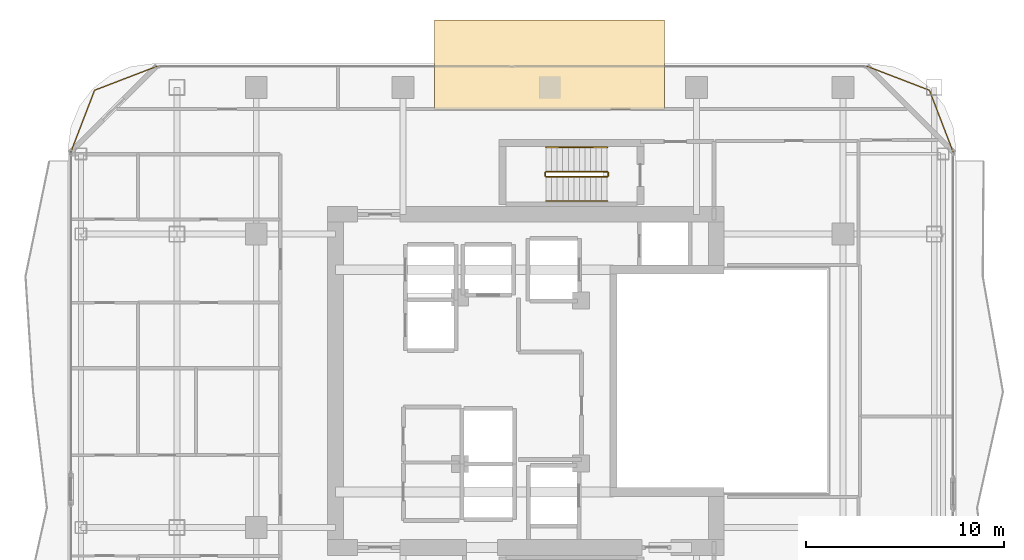
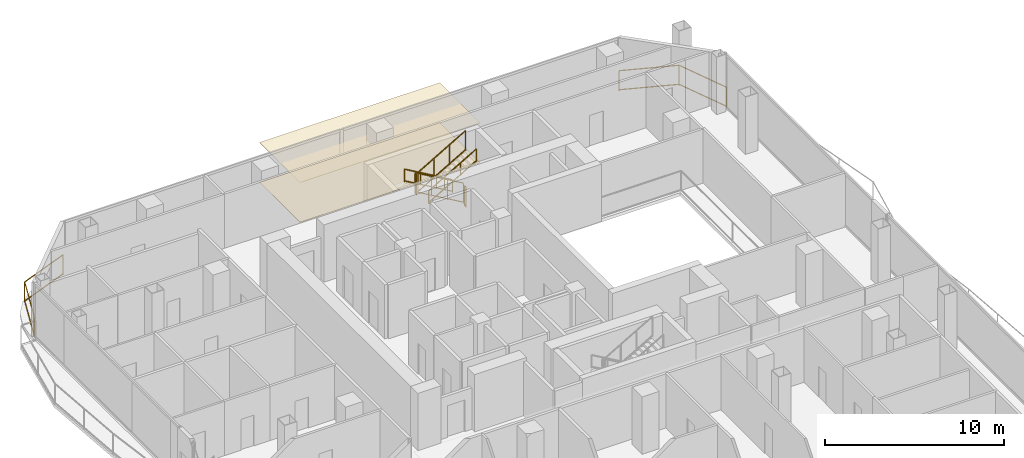
# One storey, part 23 of 23: 8 railings, 2 coverings.
"""IFC4 building model written with IfcOpenShell, lengths in metres."""

from ifc_helpers import new_model, si_unit, direction, frame, origin, origin_2d, place, context, subcontext, project, spatial, polyline, rectangle, outline, extrude, material, layer, layer_set, type_object, element, save


model = new_model("IFC4")

# Units and contexts
model_context = context("Model", 3, precision=1e-05, world=origin(), true_north=direction((0.0, 1.0)))
body_context = subcontext(model_context, "Body", "Model", "MODEL_VIEW")
ifc_project = project(units=[si_unit("LENGTHUNIT", "METRE"), si_unit("AREAUNIT", "SQUARE_METRE"), si_unit("VOLUMEUNIT", "CUBIC_METRE"), si_unit("PLANEANGLEUNIT", "RADIAN"), si_unit("MASSUNIT", "GRAM", prefix="KILO")], contexts=[model_context])

# Site, building, storey
site_placement = place(None, origin())
site = spatial("IfcSite", under=ifc_project, at=site_placement, CompositionType="ELEMENT")
building_placement = place(site_placement, origin())
building = spatial("IfcBuilding", under=site, at=building_placement, Name="Khorvyn Point Tower", CompositionType="ELEMENT")
storey_placement = place(building_placement, frame((0.0, 0.0, 195.300048828125)))
storey = spatial("IfcBuildingStorey", under=building, at=storey_placement, Name="L48", CompositionType="ELEMENT", Elevation=195.300048828125)

# Covering
ifc_material_1 = material(Name="Engineered tropical hardwood flooring", Category="wood")
ifc_layer_1 = layer(ifc_material_1, 0.01611328125)
ifc_layer_set_1 = layer_set([ifc_layer_1], Name="Engineered Teak Apartment Floor Finish 16")
covering_type_1 = type_object("IfcCoveringType", Name="Engineered Teak Apartment Floor Finish 16", PredefinedType="FLOORING", material=ifc_layer_set_1)
covering_1_placement = place(storey_placement, origin())
element("IfcCovering", 1, at=covering_1_placement, inside=storey, type_object=covering_type_1, Name="L48 North Apartment Teak Flooring", PredefinedType="FLOORING", context=body_context, shape_type="SweptSolid", body=[
    extrude(outline(polyline([(-5.800048828125, 13.68994140625), (5.800048828125, 13.68994140625), (5.800048828125, 18.199951171875), (-5.800048828125, 18.199951171875), (-5.800048828125, 13.68994140625)])), origin(), (0.0, 0.0, 1.0), 0.015869140625),
])

# Railings
ifc_material_2 = material(Name="Anodised aluminium 6063-T6 and laminated safety glass", Category="aluminium")
railing_type_1 = type_object("IfcRailingType", Name="Laminated Glass and Aluminium Balcony Guardrail 1400", PredefinedType="BALUSTRADE", material=ifc_material_2)
railing_1_placement = place(storey_placement, frame((-19.78125, 15.874267578125, 0.0)))
element("IfcRailing", 2, at=railing_1_placement, inside=storey, type_object=railing_type_1, Name="L48 Rounded Corner Edge Guardrail NW", PredefinedType="BALUSTRADE", context=body_context, shape_type="SweptSolid", body=[
    extrude(rectangle(XDim=0.048095703125, YDim=0.048095703125, at=origin_2d()), frame((0.0, 0.0, 1.3759765625), z_axis=(-0.933589651443, -0.358343916815, 0.0), x_axis=(0.358343916815, -0.933589651443, 0.0)), (0.0, 0.0, 1.0), 3.400390625),
    extrude(rectangle(XDim=0.048095703125, YDim=0.048095703125, at=origin_2d()), frame((0.0, 0.0, 0.080078125), z_axis=(-0.933589651443, -0.358343916815, 0.0), x_axis=(0.358343916815, -0.933589651443, 0.0)), (0.0, 0.0, 1.0), 3.400390625),
    extrude(rectangle(XDim=0.048095703125, YDim=0.048095703125, at=origin_2d()), frame((-3.174560546875, -1.218505859375, 1.3759765625), z_axis=(-0.358343916815, -0.933589651443, 0.0), x_axis=(0.933589651443, -0.358343916815, 0.0)), (0.0, 0.0, 1.0), 3.400390625),
    extrude(rectangle(XDim=0.048095703125, YDim=0.048095703125, at=origin_2d()), frame((-3.174560546875, -1.218505859375, 0.080078125), z_axis=(-0.358343916815, -0.933589651443, 0.0), x_axis=(0.933589651443, -0.358343916815, 0.0)), (0.0, 0.0, 1.0), 3.400390625),
    extrude(rectangle(XDim=0.0419921875, YDim=0.0419921875, at=origin_2d()), origin(), (0.0, 0.0, 1.0), 1.351806640625),
    extrude(rectangle(XDim=0.0419921875, YDim=0.0419921875, at=origin_2d()), frame((-3.174560546875, -1.218505859375, 0.0)), (0.0, 0.0, 1.0), 1.351806640625),
    extrude(rectangle(XDim=0.0419921875, YDim=0.0419921875, at=origin_2d()), frame((-4.39306640625, -4.39306640625, 0.0)), (0.0, 0.0, 1.0), 1.351806640625),
])
railing_2_placement = place(storey_placement, frame((20.374267578125, 11.481201171875, 0.0)))
element("IfcRailing", 3, at=railing_2_placement, inside=storey, type_object=railing_type_1, Name="L48 Rounded Corner Edge Guardrail NE", PredefinedType="BALUSTRADE", context=body_context, shape_type="SweptSolid", body=[
    extrude(rectangle(XDim=0.048095703125, YDim=0.048095703125, at=origin_2d()), frame((0.0, 0.0, 1.3759765625), z_axis=(-0.358343916815, 0.933589651443, 0.0), x_axis=(-0.933589651443, -0.358343916815, 0.0)), (0.0, 0.0, 1.0), 3.400390625),
    extrude(rectangle(XDim=0.048095703125, YDim=0.048095703125, at=origin_2d()), frame((0.0, 0.0, 0.080078125), z_axis=(-0.358343916815, 0.933589651443, 0.0), x_axis=(-0.933589651443, -0.358343916815, 0.0)), (0.0, 0.0, 1.0), 3.400390625),
    extrude(rectangle(XDim=0.048095703125, YDim=0.048095703125, at=origin_2d()), frame((-1.218505859375, 3.174560546875, 1.3759765625), z_axis=(-0.933589651443, 0.358343916815, 0.0), x_axis=(-0.358343916815, -0.933589651443, 0.0)), (0.0, 0.0, 1.0), 3.400390625),
    extrude(rectangle(XDim=0.048095703125, YDim=0.048095703125, at=origin_2d()), frame((-1.218505859375, 3.174560546875, 0.080078125), z_axis=(-0.933589651443, 0.358343916815, 0.0), x_axis=(-0.358343916815, -0.933589651443, 0.0)), (0.0, 0.0, 1.0), 3.400390625),
    extrude(rectangle(XDim=0.0419921875, YDim=0.0419921875, at=origin_2d()), origin(), (0.0, 0.0, 1.0), 1.351806640625),
    extrude(rectangle(XDim=0.0419921875, YDim=0.0419921875, at=origin_2d()), frame((-1.218505859375, 3.174560546875, 0.0)), (0.0, 0.0, 1.0), 1.351806640625),
    extrude(rectangle(XDim=0.0419921875, YDim=0.0419921875, at=origin_2d()), frame((-4.39306640625, 4.39306640625, 0.0)), (0.0, 0.0, 1.0), 1.351806640625),
])

# Covering
ifc_material_3 = material(Name="Mineral-fibre acoustic ceiling board", Category="gypsum")
ifc_layer_2 = layer(ifc_material_3, 0.02001953125)
ifc_layer_set_2 = layer_set([ifc_layer_2], Name="Perforated Mineral-Fibre Acoustic Suspended Ceiling 20")
covering_type_2 = type_object("IfcCoveringType", Name="Perforated Mineral-Fibre Acoustic Suspended Ceiling 20", PredefinedType="CEILING", material=ifc_layer_set_2)
covering_2_placement = place(storey_placement, frame((0.0, 0.0, 2.699951171875)))
element("IfcCovering", 4, at=covering_2_placement, inside=storey, type_object=covering_type_2, Name="L48 North Apartment Acoustic Ceiling", PredefinedType="CEILING", context=body_context, shape_type="SweptSolid", body=[
    extrude(outline(polyline([(-5.800048828125, 13.68994140625), (5.800048828125, 13.68994140625), (5.800048828125, 18.199951171875), (-5.800048828125, 18.199951171875), (-5.800048828125, 13.68994140625)])), origin(), (0.0, 0.0, 1.0), 0.02001953125),
])

# Railings
ifc_material_4 = material(Name="Stainless steel 1.4301", Category="steel")
railing_type_2 = type_object("IfcRailingType", Name="Stainless Steel 304 Stair Pitch Handrail 900", PredefinedType="HANDRAIL", material=ifc_material_4)
railing_3_placement = place(storey_placement, frame((2.89990234375, 11.77001953125, 0.162353515625)))
element("IfcRailing", 5, at=railing_3_placement, inside=storey, type_object=railing_type_2, Name="L48 ST-02 stair handrail 1", PredefinedType="HANDRAIL", context=body_context, shape_type="SweptSolid", body=[
    extrude(rectangle(XDim=0.048095703125, YDim=0.048095703125, at=origin_2d()), frame((0.0, 0.0, 0.8759765625), z_axis=(-0.864873446163, 0.0, 0.501989962173), x_axis=(0.0, -1.0, 0.0)), (0.0, 0.0, 1.0), 3.56103515625),
    extrude(rectangle(XDim=0.048095703125, YDim=0.048095703125, at=origin_2d()), frame((0.0, 0.0, 0.080078125), z_axis=(-0.864873446163, 0.0, 0.501989962173), x_axis=(0.0, -1.0, 0.0)), (0.0, 0.0, 1.0), 3.56103515625),
    extrude(rectangle(XDim=0.0419921875, YDim=0.0419921875, at=origin_2d()), origin(), (0.0, 0.0, 1.0), 0.851806640625),
    extrude(rectangle(XDim=0.0419921875, YDim=0.0419921875, at=origin_2d()), frame((-1.026611328125, 0.0, 0.595947265625)), (0.0, 0.0, 1.0), 0.851806640625),
    extrude(rectangle(XDim=0.0419921875, YDim=0.0419921875, at=origin_2d()), frame((-2.05322265625, 0.0, 1.191650390625)), (0.0, 0.0, 1.0), 0.851806640625),
    extrude(rectangle(XDim=0.0419921875, YDim=0.0419921875, at=origin_2d()), frame((-3.079833984375, 0.0, 1.78759765625)), (0.0, 0.0, 1.0), 0.851806640625),
])
railing_4_placement = place(storey_placement, frame((-0.179931640625, 9.070068359375, 2.112548828125)))
element("IfcRailing", 6, at=railing_4_placement, inside=storey, type_object=railing_type_2, Name="L48 ST-02 stair handrail 2", PredefinedType="HANDRAIL", context=body_context, shape_type="SweptSolid", body=[
    extrude(rectangle(XDim=0.048095703125, YDim=0.048095703125, at=origin_2d()), frame((0.0, 0.0, 0.8759765625), z_axis=(0.864903211148, 0.0, 0.501938676878), x_axis=(0.0, 1.0, 0.0)), (0.0, 0.0, 1.0), 3.560791015625),
    extrude(rectangle(XDim=0.048095703125, YDim=0.048095703125, at=origin_2d()), frame((0.0, 0.0, 0.080078125), z_axis=(0.864903211148, 0.0, 0.501938676878), x_axis=(0.0, 1.0, 0.0)), (0.0, 0.0, 1.0), 3.560791015625),
    extrude(rectangle(XDim=0.0419921875, YDim=0.0419921875, at=origin_2d()), origin(), (0.0, 0.0, 1.0), 0.851806640625),
    extrude(rectangle(XDim=0.0419921875, YDim=0.0419921875, at=origin_2d()), frame((1.026611328125, 0.0, 0.595703125)), (0.0, 0.0, 1.0), 0.851806640625),
    extrude(rectangle(XDim=0.0419921875, YDim=0.0419921875, at=origin_2d()), frame((2.05322265625, 0.0, 1.191650390625)), (0.0, 0.0, 1.0), 0.851806640625),
    extrude(rectangle(XDim=0.0419921875, YDim=0.0419921875, at=origin_2d()), frame((3.079833984375, 0.0, 1.787353515625)), (0.0, 0.0, 1.0), 0.851806640625),
])
railing_type_3 = type_object("IfcRailingType", Name="Stainless Steel 304 Stair Well Guardrail 1400", PredefinedType="GUARDRAIL", material=ifc_material_4)
railing_5_placement = place(storey_placement, frame((2.89990234375, 10.550048828125, 0.162353515625)))
element("IfcRailing", 7, at=railing_5_placement, inside=storey, type_object=railing_type_3, Name="L48 ST-02 stair guard 1", PredefinedType="GUARDRAIL", context=body_context, shape_type="SweptSolid", body=[
    extrude(rectangle(XDim=0.048095703125, YDim=0.048095703125, at=origin_2d()), frame((0.0, 0.0, 1.3759765625), z_axis=(-0.864873446163, 0.0, 0.501989962173), x_axis=(0.0, -1.0, 0.0)), (0.0, 0.0, 1.0), 3.56103515625),
    extrude(rectangle(XDim=0.048095703125, YDim=0.048095703125, at=origin_2d()), frame((0.0, 0.0, 0.080078125), z_axis=(-0.864873446163, 0.0, 0.501989962173), x_axis=(0.0, -1.0, 0.0)), (0.0, 0.0, 1.0), 3.56103515625),
    extrude(rectangle(XDim=0.0419921875, YDim=0.0419921875, at=origin_2d()), origin(), (0.0, 0.0, 1.0), 1.351806640625),
    extrude(rectangle(XDim=0.0419921875, YDim=0.0419921875, at=origin_2d()), frame((-1.026611328125, 0.0, 0.595947265625)), (0.0, 0.0, 1.0), 1.351806640625),
    extrude(rectangle(XDim=0.0419921875, YDim=0.0419921875, at=origin_2d()), frame((-2.05322265625, 0.0, 1.191650390625)), (0.0, 0.0, 1.0), 1.351806640625),
    extrude(rectangle(XDim=0.0419921875, YDim=0.0419921875, at=origin_2d()), frame((-3.079833984375, 0.0, 1.78759765625)), (0.0, 0.0, 1.0), 1.351806640625),
])
railing_6_placement = place(storey_placement, frame((-0.22998046875, 10.5, 1.949951171875)))
element("IfcRailing", 8, at=railing_6_placement, inside=storey, type_object=railing_type_3, Name="L48 ST-02 stair guard 2", PredefinedType="GUARDRAIL", context=body_context, shape_type="SweptSolid", body=[
    extrude(rectangle(XDim=0.048095703125, YDim=0.048095703125, at=origin_2d()), frame((0.0, 0.0, 1.3759765625), z_axis=(0.0, -1.0, 0.0), x_axis=(1.0, 0.0, 0.0)), (0.0, 0.0, 1.0), 0.159912109375),
    extrude(rectangle(XDim=0.048095703125, YDim=0.048095703125, at=origin_2d()), frame((0.0, 0.0, 0.080078125), z_axis=(0.0, -1.0, 0.0), x_axis=(1.0, 0.0, 0.0)), (0.0, 0.0, 1.0), 0.159912109375),
    extrude(rectangle(XDim=0.0419921875, YDim=0.0419921875, at=origin_2d()), origin(), (0.0, 0.0, 1.0), 1.351806640625),
    extrude(rectangle(XDim=0.0419921875, YDim=0.0419921875, at=origin_2d()), frame((0.0, -0.159912109375, 0.0)), (0.0, 0.0, 1.0), 1.351806640625),
])
railing_7_placement = place(storey_placement, frame((-0.179931640625, 10.2900390625, 2.112548828125)))
element("IfcRailing", 9, at=railing_7_placement, inside=storey, type_object=railing_type_3, Name="L48 ST-02 stair guard 3", PredefinedType="GUARDRAIL", context=body_context, shape_type="SweptSolid", body=[
    extrude(rectangle(XDim=0.048095703125, YDim=0.048095703125, at=origin_2d()), frame((0.0, 0.0, 1.3759765625), z_axis=(0.864903211148, 0.0, 0.501938676878), x_axis=(0.0, 1.0, 0.0)), (0.0, 0.0, 1.0), 3.560791015625),
    extrude(rectangle(XDim=0.048095703125, YDim=0.048095703125, at=origin_2d()), frame((0.0, 0.0, 0.080078125), z_axis=(0.864903211148, 0.0, 0.501938676878), x_axis=(0.0, 1.0, 0.0)), (0.0, 0.0, 1.0), 3.560791015625),
    extrude(rectangle(XDim=0.0419921875, YDim=0.0419921875, at=origin_2d()), origin(), (0.0, 0.0, 1.0), 1.351806640625),
    extrude(rectangle(XDim=0.0419921875, YDim=0.0419921875, at=origin_2d()), frame((1.026611328125, 0.0, 0.595703125)), (0.0, 0.0, 1.0), 1.351806640625),
    extrude(rectangle(XDim=0.0419921875, YDim=0.0419921875, at=origin_2d()), frame((2.05322265625, 0.0, 1.191650390625)), (0.0, 0.0, 1.0), 1.351806640625),
    extrude(rectangle(XDim=0.0419921875, YDim=0.0419921875, at=origin_2d()), frame((3.079833984375, 0.0, 1.787353515625)), (0.0, 0.0, 1.0), 1.351806640625),
])
railing_8_placement = place(storey_placement, frame((2.949951171875, 10.5, 0.0)))
element("IfcRailing", 10, at=railing_8_placement, inside=storey, type_object=railing_type_3, Name="L48 ST-02 stair guard 4", PredefinedType="GUARDRAIL", context=body_context, shape_type="SweptSolid", body=[
    extrude(rectangle(XDim=0.048095703125, YDim=0.048095703125, at=origin_2d()), frame((0.0, 0.0, 1.3759765625), z_axis=(0.0, -1.0, 0.0), x_axis=(1.0, 0.0, 0.0)), (0.0, 0.0, 1.0), 0.159912109375),
    extrude(rectangle(XDim=0.048095703125, YDim=0.048095703125, at=origin_2d()), frame((0.0, 0.0, 0.080078125), z_axis=(0.0, -1.0, 0.0), x_axis=(1.0, 0.0, 0.0)), (0.0, 0.0, 1.0), 0.159912109375),
    extrude(rectangle(XDim=0.0419921875, YDim=0.0419921875, at=origin_2d()), origin(), (0.0, 0.0, 1.0), 1.351806640625),
    extrude(rectangle(XDim=0.0419921875, YDim=0.0419921875, at=origin_2d()), frame((0.0, -0.159912109375, 0.0)), (0.0, 0.0, 1.0), 1.351806640625),
])

save(model, "model.ifc")
